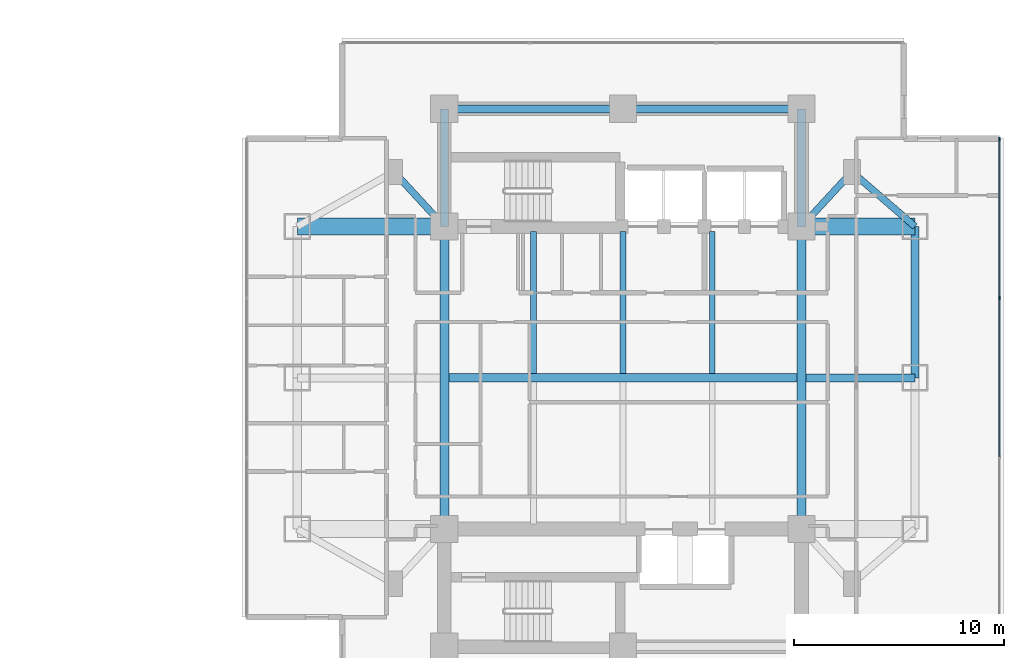
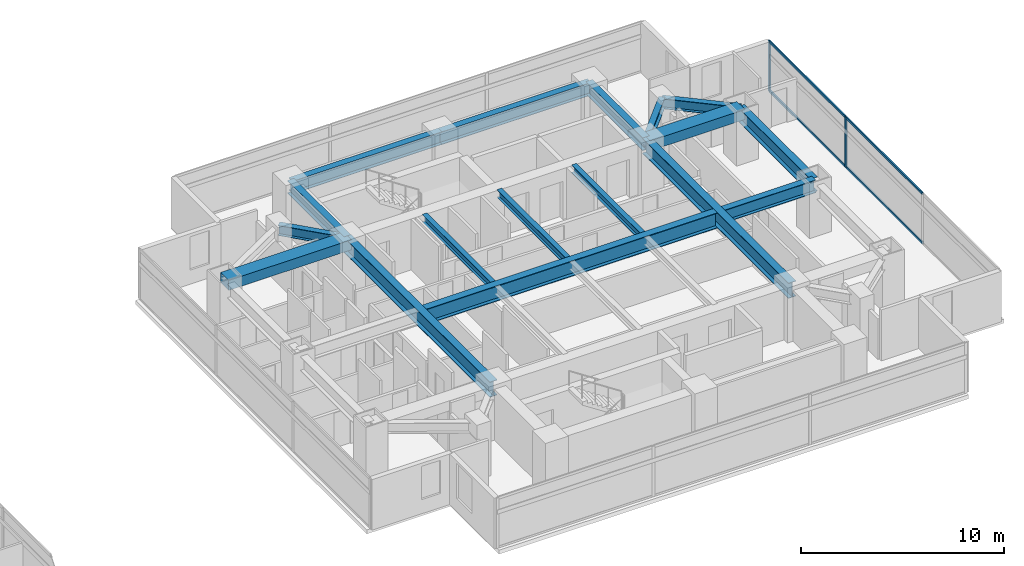
# One storey, part 10 of 25: 17 beams, 6 members, 1 element without a shape of its own.
"""IFC4 building model written with IfcOpenShell, lengths in metres."""

from ifc_helpers import new_model, si_unit, direction, frame, origin, origin_2d, place, context, subcontext, project, spatial, rectangle, i_section, extrude, material, material_profile, profile_set, type_object, element, aggregate, save


model = new_model("IFC4")

# Units and contexts
model_context = context("Model", 3, precision=1e-05, world=origin(), true_north=direction((0.0, 1.0)))
body_context = subcontext(model_context, "Body", "Model", "MODEL_VIEW")
ifc_project = project(units=[si_unit("LENGTHUNIT", "METRE"), si_unit("AREAUNIT", "SQUARE_METRE"), si_unit("VOLUMEUNIT", "CUBIC_METRE"), si_unit("PLANEANGLEUNIT", "RADIAN"), si_unit("MASSUNIT", "GRAM", prefix="KILO")], contexts=[model_context])

# Site, building, storey
site_placement = place(None, origin())
site = spatial("IfcSite", under=ifc_project, at=site_placement, CompositionType="ELEMENT")
building_placement = place(site_placement, origin())
building = spatial("IfcBuilding", under=site, at=building_placement, Name="Mirazonda Arch Towers", CompositionType="ELEMENT")
storey_placement = place(building_placement, frame((0.0, 0.0, 58.699951171875)))
storey = spatial("IfcBuildingStorey", under=building, at=storey_placement, Name="L16", CompositionType="ELEMENT", Elevation=58.699951171875)

# Beams
ifc_material_1 = material(Name="Steel ASTM A992 Grade 50", Category="steel")
ifc_material_profile_1 = material_profile(ifc_material_1, i_section(OverallWidth=0.39990234375, OverallDepth=0.85595703125, WebThickness=0.018310546875, FlangeThickness=0.029296875, at=origin_2d()), Name="W33X201")
ifc_profile_set_1 = profile_set([ifc_material_profile_1], Name="Steel ASTM A992 Grade 50")
beam_type_1 = type_object("IfcBeamType", Name="BM-EXT-W33X201", PredefinedType="USERDEFINED", material=ifc_profile_set_1)
beam_1_placement = place(storey_placement, frame((90.39990234375, 28.0, 2.632080078125), z_axis=(0.0, 1.0, 0.0), x_axis=(-1.0, 0.0, 0.0)))
element("IfcBeam", 1, at=beam_1_placement, inside=storey, type_object=beam_type_1, Name="L16 Floor Beam BM-T2-L16-NS-E-28", ObjectType="GIRDER", PredefinedType="USERDEFINED", context=body_context, shape_type="SweptSolid", body=[
    extrude(i_section(OverallWidth=0.39990234375, OverallDepth=0.85595703125, WebThickness=0.018310546875, FlangeThickness=0.029296875, at=origin_2d()), origin(), (0.0, 0.0, 1.0), 7.199951171875),
])
ifc_material_profile_2 = material_profile(ifc_material_1, i_section(OverallWidth=0.280029296875, OverallDepth=0.462890625, WebThickness=0.0107421875, FlangeThickness=0.017333984375, at=origin_2d()), Name="W18X76")
ifc_profile_set_2 = profile_set([ifc_material_profile_2], Name="Steel ASTM A992 Grade 50")
beam_type_2 = type_object("IfcBeamType", Name="BM-INT-W18X76", PredefinedType="JOIST", material=ifc_profile_set_2)
for number, where, z_axis, x_axis, name in (
    (2, (72.25, 28.205078125, 2.82861328125), (0.0, 1.0, 0.0), (-1.0, 0.0, 0.0), "L16 Floor Beam BM-T2-L16-J-722-28"),
    (3, (76.5, 28.205078125, 2.82861328125), (0.0, 1.0, 0.0), (-1.0, 0.0, 0.0), "L16 Floor Beam BM-T2-L16-J-765-28"),
    (4, (80.75, 28.205078125, 2.82861328125), (0.0, 1.0, 0.0), (-1.0, 0.0, 0.0), "L16 Floor Beam BM-T2-L16-J-807-28"),
):
    element("IfcBeam", number, at=place(storey_placement, frame(where, z_axis=z_axis, x_axis=x_axis)), inside=storey, type_object=beam_type_2, Name=name, PredefinedType="JOIST", context=body_context, shape_type="SweptSolid", body=[
        extrude(i_section(OverallWidth=0.280029296875, OverallDepth=0.462890625, WebThickness=0.0107421875, FlangeThickness=0.017333984375, at=origin_2d()), origin(), (0.0, 0.0, 1.0), 6.7548828125),
    ])
ifc_material_profile_3 = material_profile(ifc_material_1, i_section(OverallWidth=0.324951171875, OverallDepth=0.615966796875, WebThickness=0.013916015625, FlangeThickness=0.021484375, at=origin_2d()), Name="W24X117")
ifc_profile_set_3 = profile_set([ifc_material_profile_3], Name="Steel ASTM A992 Grade 50")
beam_type_3 = type_object("IfcBeamType", Name="BM-INT-W24X117", PredefinedType="BEAM", material=ifc_profile_set_3)
for number, where, z_axis, x_axis, name in (
    (5, (65.60009765625, 37.800048828125, 2.751953125), (0.678251444854, -0.734829897019, 0.0), (0.734829897019, 0.678251444854, 0.0), "L16 Floor Beam BM-T2-L16-PL-NW1"),
    (6, (87.39990234375, 37.800048828125, 2.751953125), (-0.678251444854, -0.734829897019, 0.0), (0.734829897019, -0.678251444854, 0.0), "L16 Floor Beam BM-T2-L16-PL-NE1"),
):
    element("IfcBeam", number, at=place(storey_placement, frame(where, z_axis=z_axis, x_axis=x_axis)), inside=storey, type_object=beam_type_3, Name=name, PredefinedType="BEAM", context=body_context, shape_type="SweptSolid", body=[
        extrude(i_section(OverallWidth=0.324951171875, OverallDepth=0.615966796875, WebThickness=0.013916015625, FlangeThickness=0.021484375, at=origin_2d()), origin(), (0.0, 0.0, 1.0), 3.538330078125),
    ])
beam_2_placement = place(storey_placement, frame((87.39990234375, 37.800048828125, 2.751953125), z_axis=(0.755676908098, -0.654944585876, 0.0), x_axis=(0.654944585876, 0.755676908098, 0.0)))
element("IfcBeam", 7, at=beam_2_placement, inside=storey, type_object=beam_type_3, Name="L16 Floor Beam BM-T2-L16-PL-NE2", PredefinedType="BEAM", context=body_context, shape_type="SweptSolid", body=[
    extrude(i_section(OverallWidth=0.324951171875, OverallDepth=0.615966796875, WebThickness=0.013916015625, FlangeThickness=0.021484375, at=origin_2d()), origin(), (0.0, 0.0, 1.0), 3.969970703125),
])
ifc_material_profile_4 = material_profile(ifc_material_1, i_section(OverallWidth=0.381103515625, OverallDepth=0.77294921875, WebThickness=0.0166015625, FlangeThickness=0.027099609375, at=origin_2d()), Name="W30X173")
ifc_profile_set_4 = profile_set([ifc_material_profile_4], Name="Steel ASTM A992 Grade 50")
beam_type_4 = type_object("IfcBeamType", Name="BM-INT-W30X173", PredefinedType="USERDEFINED", material=ifc_profile_set_4)
for number, where, z_axis, x_axis, name in (
    (8, (68.0, 40.800048828125, 2.673583984375), (1.0, 0.0, 0.0), (0.0, 1.0, 0.0), "L16 Floor Beam BM-T2-L16-CN1"),
    (9, (76.5, 40.800048828125, 2.673583984375), (1.0, 0.0, 0.0), (0.0, 1.0, 0.0), "L16 Floor Beam BM-T2-L16-CN2"),
):
    element("IfcBeam", number, at=place(storey_placement, frame(where, z_axis=z_axis, x_axis=x_axis)), inside=storey, type_object=beam_type_4, Name=name, ObjectType="GIRDER", PredefinedType="USERDEFINED", context=body_context, shape_type="SweptSolid", body=[
        extrude(i_section(OverallWidth=0.381103515625, OverallDepth=0.77294921875, WebThickness=0.0166015625, FlangeThickness=0.027099609375, at=origin_2d()), origin(), (0.0, 0.0, 1.0), 8.5),
    ])
for number, where, z_axis, x_axis, name in (
    (10, (68.0, 35.199951171875, 2.673583984375), (0.0, 1.0, 0.0), (-1.0, 0.0, 0.0), "L16 Floor Beam BM-T2-L16-CNW"),
    (11, (85.0, 35.199951171875, 2.673583984375), (0.0, 1.0, 0.0), (-1.0, 0.0, 0.0), "L16 Floor Beam BM-T2-L16-CNE"),
):
    element("IfcBeam", number, at=place(storey_placement, frame(where, z_axis=z_axis, x_axis=x_axis)), inside=storey, type_object=beam_type_4, Name=name, ObjectType="GIRDER", PredefinedType="USERDEFINED", context=body_context, shape_type="SweptSolid", body=[
        extrude(i_section(OverallWidth=0.381103515625, OverallDepth=0.77294921875, WebThickness=0.0166015625, FlangeThickness=0.027099609375, at=origin_2d()), origin(), (0.0, 0.0, 1.0), 5.60009765625),
    ])
beam_3_placement = place(storey_placement, frame((85.208984375, 28.0, 2.673583984375), z_axis=(1.0, 0.0, 0.0), x_axis=(0.0, 1.0, 0.0)))
element("IfcBeam", 12, at=beam_3_placement, inside=storey, type_object=beam_type_4, Name="L16 Floor Beam BM-T2-L16-GE2", ObjectType="GIRDER", PredefinedType="USERDEFINED", context=body_context, shape_type="SweptSolid", body=[
    extrude(i_section(OverallWidth=0.381103515625, OverallDepth=0.77294921875, WebThickness=0.0166015625, FlangeThickness=0.027099609375, at=origin_2d()), origin(), (0.0, 0.0, 1.0), 5.19091796875),
])
ifc_material_profile_5 = material_profile(ifc_material_1, i_section(OverallWidth=0.41796875, OverallDepth=0.927001953125, WebThickness=0.019287109375, FlangeThickness=0.031982421875, at=origin_2d()), Name="W36X231")
ifc_profile_set_5 = profile_set([ifc_material_profile_5], Name="Steel ASTM A992 Grade 50")
beam_type_5 = type_object("IfcBeamType", Name="BM-INT-W36X231", PredefinedType="USERDEFINED", material=ifc_profile_set_5)
beam_4_placement = place(storey_placement, frame((68.208984375, 28.0, 2.596435546875), z_axis=(1.0, 0.0, 0.0), x_axis=(0.0, 1.0, 0.0)))
element("IfcBeam", 13, at=beam_4_placement, inside=storey, type_object=beam_type_5, Name="L16 Floor Beam BM-T2-L16-GC2", ObjectType="GIRDER", PredefinedType="USERDEFINED", context=body_context, shape_type="SweptSolid", body=[
    extrude(i_section(OverallWidth=0.41796875, OverallDepth=0.927001953125, WebThickness=0.019287109375, FlangeThickness=0.031982421875, at=origin_2d()), origin(), (0.0, 0.0, 1.0), 16.58203125),
])
for number, where, z_axis, x_axis, name in (
    (14, (68.0, 20.800048828125, 2.596435546875), (0.0, 1.0, 0.0), (-1.0, 0.0, 0.0), "L16 Floor Beam BM-T2-L16-NS-CW-FULL"),
    (15, (85.0, 20.800048828125, 2.596435546875), (0.0, 1.0, 0.0), (-1.0, 0.0, 0.0), "L16 Floor Beam BM-T2-L16-NS-CE-FULL"),
):
    element("IfcBeam", number, at=place(storey_placement, frame(where, z_axis=z_axis, x_axis=x_axis)), inside=storey, type_object=beam_type_5, Name=name, ObjectType="GIRDER", PredefinedType="USERDEFINED", context=body_context, shape_type="SweptSolid", body=[
        extrude(i_section(OverallWidth=0.41796875, OverallDepth=0.927001953125, WebThickness=0.019287109375, FlangeThickness=0.031982421875, at=origin_2d()), origin(), (0.0, 0.0, 1.0), 14.39990234375),
    ])
ifc_material_2 = material(Name="Concrete C60/75", Category="concrete")
ifc_material_profile_6 = material_profile(ifc_material_2, rectangle(XDim=0.800048828125, YDim=0.60009765625, at=origin_2d()), Name="RCCB800x600")
ifc_profile_set_6 = profile_set([ifc_material_profile_6], Name="Concrete C60/75")
beam_type_6 = type_object("IfcBeamType", Name="CB-INT-RCCB800x600", PredefinedType="SPANDREL", material=ifc_profile_set_6)
beam_5_placement = place(storey_placement, frame((61.0, 35.199951171875, 2.760009765625), z_axis=(1.0, 0.0, 0.0), x_axis=(0.0, 1.0, 0.0)))
element("IfcBeam", 16, at=beam_5_placement, inside=storey, type_object=beam_type_6, Name="L16 Floor Beam CBC-T2-L16-NW", PredefinedType="SPANDREL", context=body_context, shape_type="SweptSolid", body=[
    extrude(rectangle(XDim=0.800048828125, YDim=0.60009765625, at=origin_2d()), origin(), (0.0, 0.0, 1.0), 7.0),
])
beam_6_placement = place(storey_placement, frame((85.0, 35.199951171875, 2.760009765625), z_axis=(1.0, 0.0, 0.0), x_axis=(0.0, 1.0, 0.0)))
element("IfcBeam", 17, at=beam_6_placement, inside=storey, type_object=beam_type_6, Name="L16 Floor Beam CBC-T2-L16-NE", PredefinedType="SPANDREL", context=body_context, shape_type="SweptSolid", body=[
    extrude(rectangle(XDim=0.800048828125, YDim=0.60009765625, at=origin_2d()), origin(), (0.0, 0.0, 1.0), 5.39990234375),
])

# Curtain wall, members
ifc_material_3 = material(Name="Anodised Aluminium and Low-E Glass", Category="aluminium")
curtain_wall_type = type_object("IfcCurtainWallType", Name="CW-HTL-UNIT", PredefinedType="NOTDEFINED", material=ifc_material_3)
curtain_wall_placement = place(storey_placement, origin())
curtain_wall = element("IfcCurtainWall", 18, at=curtain_wall_placement, inside=storey, type_object=curtain_wall_type, Name="L16 T2 E Facade CW-L16-T2-E", PredefinedType="NOTDEFINED")
ifc_material_4 = material(Name="Anodised Aluminium Alloy", Category="aluminium")
ifc_material_profile_7 = material_profile(ifc_material_4, rectangle(XDim=0.074951171875, YDim=0.1650390625, at=origin_2d()), Name="ALU-MULL-75x165")
ifc_profile_set_7 = profile_set([ifc_material_profile_7], Name="Anodised Aluminium Alloy")
member_type_1 = type_object("IfcMemberType", Name="MULL-CW-HTL-UNIT", PredefinedType="MULLION", material=ifc_profile_set_7)
member_1_placement = place(storey_placement, frame((94.416015625, 31.798828125, 0.0), z_axis=(0.0, 0.0, 1.0), x_axis=(-1.0, 0.0, 0.0)))
member_1 = element("IfcMember", 19, at=member_1_placement, type_object=member_type_1, Name="CW-112 mullion 3", PredefinedType="MULLION", context=body_context, shape_type="SweptSolid", body=[
    extrude(rectangle(XDim=0.074951171875, YDim=0.1650390625, at=origin_2d()), origin(), (0.0, 0.0, 1.0), 3.0400390625),
])
member_2_placement = place(storey_placement, frame((94.416015625, 39.359130859375, 0.0), z_axis=(0.0, 0.0, 1.0), x_axis=(-1.0, 0.0, 0.0)))
member_2 = element("IfcMember", 20, at=member_2_placement, type_object=member_type_1, Name="CW-112 mullion 4", PredefinedType="MULLION", context=body_context, shape_type="SweptSolid", body=[
    extrude(rectangle(XDim=0.074951171875, YDim=0.1650390625, at=origin_2d()), origin(), (0.0, 0.0, 1.0), 3.0400390625),
])
ifc_material_profile_8 = material_profile(ifc_material_4, rectangle(XDim=0.074951171875, YDim=0.14501953125, at=origin_2d()), Name="ALU-TRAN-75x145")
ifc_profile_set_8 = profile_set([ifc_material_profile_8], Name="Anodised Aluminium Alloy")
member_type_2 = type_object("IfcMemberType", Name="TRAN-CW-HTL-UNIT", PredefinedType="USERDEFINED", material=ifc_profile_set_8)
member_3_placement = place(storey_placement, frame((94.416015625, 24.238525390625, 0.03759765625), z_axis=(0.0, 1.0, 0.0), x_axis=(-1.0, 0.0, 0.0)))
member_3 = element("IfcMember", 21, at=member_3_placement, type_object=member_type_2, Name="CW-112 transom 2.1", ObjectType="TRANSOM", PredefinedType="USERDEFINED", context=body_context, shape_type="SweptSolid", body=[
    extrude(rectangle(XDim=0.074951171875, YDim=0.14501953125, at=origin_2d()), origin(), (0.0, 0.0, 1.0), 7.52294921875),
])
member_4_placement = place(storey_placement, frame((94.416015625, 24.238525390625, 3.00244140625), z_axis=(0.0, 1.0, 0.0), x_axis=(-1.0, 0.0, 0.0)))
member_4 = element("IfcMember", 22, at=member_4_placement, type_object=member_type_2, Name="CW-112 transom 2.2", ObjectType="TRANSOM", PredefinedType="USERDEFINED", context=body_context, shape_type="SweptSolid", body=[
    extrude(rectangle(XDim=0.074951171875, YDim=0.14501953125, at=origin_2d()), origin(), (0.0, 0.0, 1.0), 7.52294921875),
])
member_5_placement = place(storey_placement, frame((94.416015625, 31.83642578125, 0.03759765625), z_axis=(0.0, 1.0, 0.0), x_axis=(-1.0, 0.0, 0.0)))
member_5 = element("IfcMember", 23, at=member_5_placement, type_object=member_type_2, Name="CW-112 transom 3.1", ObjectType="TRANSOM", PredefinedType="USERDEFINED", context=body_context, shape_type="SweptSolid", body=[
    extrude(rectangle(XDim=0.074951171875, YDim=0.14501953125, at=origin_2d()), origin(), (0.0, 0.0, 1.0), 7.485107421875),
])
member_6_placement = place(storey_placement, frame((94.416015625, 31.83642578125, 3.00244140625), z_axis=(0.0, 1.0, 0.0), x_axis=(-1.0, 0.0, 0.0)))
member_6 = element("IfcMember", 24, at=member_6_placement, type_object=member_type_2, Name="CW-112 transom 3.2", ObjectType="TRANSOM", PredefinedType="USERDEFINED", context=body_context, shape_type="SweptSolid", body=[
    extrude(rectangle(XDim=0.074951171875, YDim=0.14501953125, at=origin_2d()), origin(), (0.0, 0.0, 1.0), 7.485107421875),
])
aggregate(curtain_wall, [member_1, member_2, member_3, member_4, member_5, member_6])

save(model, "model.ifc")
